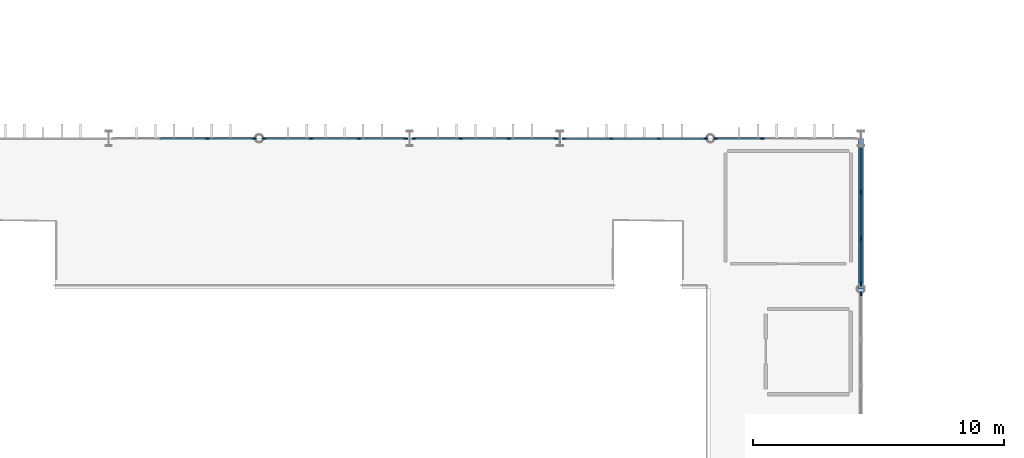
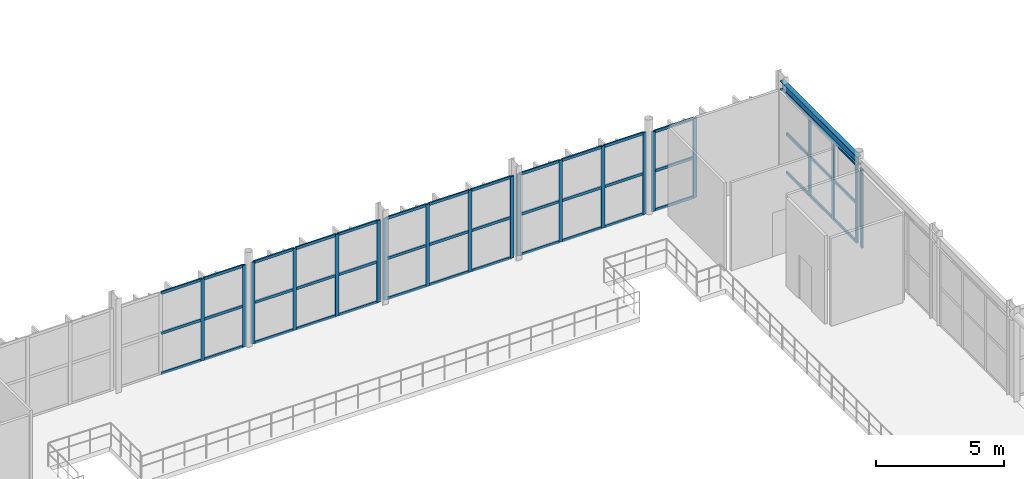
# One storey, part 40 of 96: 65 members, 1 beam, 7 elements without a shape of their own.
"""IFC4 building model written with IfcOpenShell, lengths in metres."""

from ifc_helpers import new_model, si_unit, direction, frame, origin, origin_2d, place, context, subcontext, project, spatial, rectangle, i_section, extrude, material, material_profile, profile_set, type_object, element, aggregate, save


model = new_model("IFC4")

# Units and contexts
model_context = context("Model", 3, precision=1e-05, world=origin(), true_north=direction((0.0, 1.0)))
body_context = subcontext(model_context, "Body", "Model", "MODEL_VIEW")
ifc_project = project(units=[si_unit("LENGTHUNIT", "METRE"), si_unit("AREAUNIT", "SQUARE_METRE"), si_unit("VOLUMEUNIT", "CUBIC_METRE"), si_unit("PLANEANGLEUNIT", "RADIAN"), si_unit("MASSUNIT", "GRAM", prefix="KILO")], contexts=[model_context])

# Site, building, storey
site_placement = place(None, origin())
site = spatial("IfcSite", under=ifc_project, at=site_placement, CompositionType="ELEMENT")
building_placement = place(site_placement, origin())
building = spatial("IfcBuilding", under=site, at=building_placement, Name="Varnakota Square Police Headquarters", CompositionType="ELEMENT")
storey_placement = place(building_placement, frame((0.0, 0.0, 4.800048828125)))
storey = spatial("IfcBuildingStorey", under=building, at=storey_placement, Name="L01", CompositionType="ELEMENT", Elevation=4.800048828125)

# Beam
ifc_material_1 = material(Name="Steel IS 2062 Grade 350", Category="steel")
ifc_material_profile_1 = material_profile(ifc_material_1, i_section(OverallWidth=0.199951171875, OverallDepth=0.39990234375, WebThickness=0.008544921875, FlangeThickness=0.012939453125, FilletRadius=0.012939453125, at=origin_2d()), Name="ISWB 400")
ifc_profile_set_1 = profile_set([ifc_material_profile_1], Name="Steel IS 2062 Grade 350")
beam_type = type_object("IfcBeamType", Name="BM-ISWB400", PredefinedType="BEAM", material=ifc_profile_set_1)
beam_placement = place(storey_placement, frame((96.0, 33.0, 4.0), z_axis=(0.0, 1.0, 0.0), x_axis=(-1.0, 0.0, 0.0)))
element("IfcBeam", 1, at=beam_placement, inside=storey, type_object=beam_type, Name="BMG-L01-1673", PredefinedType="BEAM", context=body_context, shape_type="SweptSolid", body=[
    extrude(i_section(OverallWidth=0.199951171875, OverallDepth=0.39990234375, WebThickness=0.008544921875, FlangeThickness=0.012939453125, FilletRadius=0.012939453125, at=origin_2d()), origin(), (0.0, 0.0, 1.0), 6.0),
])

# Curtain wall, members
ifc_material_2 = material(Name="Anodised Aluminium Framing", Category="aluminium")
curtain_wall_type = type_object("IfcCurtainWallType", Name="CW-SYS-B", PredefinedType="NOTDEFINED", material=ifc_material_2)
curtain_wall_1_placement = place(storey_placement, origin())
curtain_wall_1 = element("IfcCurtainWall", 2, at=curtain_wall_1_placement, inside=storey, type_object=curtain_wall_type, Name="Unitised curtain wall CWG-L01-023", PredefinedType="NOTDEFINED")
ifc_material_3 = material(Name="Anodised Aluminium 6063-T6", Category="aluminium")
ifc_material_profile_2 = material_profile(ifc_material_3, rectangle(XDim=0.06494140625, YDim=0.159912109375, at=origin_2d()), Name="ALU MULLION 65x160")
ifc_profile_set_2 = profile_set([ifc_material_profile_2], Name="Anodised Aluminium 6063-T6")
member_type_1 = type_object("IfcMemberType", Name="CWM-150", PredefinedType="MULLION", material=ifc_profile_set_2)
member_1_placement = place(storey_placement, frame((69.93212890625, 39.0, 0.0), z_axis=(0.0, 0.0, 1.0), x_axis=(0.0, 1.0, 0.0)))
member_1 = element("IfcMember", 3, at=member_1_placement, type_object=member_type_1, Name="CWG-L01-023 mullion 3", PredefinedType="MULLION", context=body_context, shape_type="SweptSolid", body=[
    extrude(rectangle(XDim=0.06494140625, YDim=0.159912109375, at=origin_2d()), origin(), (0.0, 0.0, 1.0), 3.889892578125),
])
member_2_placement = place(storey_placement, frame((71.800537109375, 39.0, 0.0), z_axis=(0.0, 0.0, 1.0), x_axis=(0.0, 1.0, 0.0)))
member_2 = element("IfcMember", 4, at=member_2_placement, type_object=member_type_1, Name="CWG-L01-023 mullion 4", PredefinedType="MULLION", context=body_context, shape_type="SweptSolid", body=[
    extrude(rectangle(XDim=0.06494140625, YDim=0.159912109375, at=origin_2d()), origin(), (0.0, 0.0, 1.0), 3.889892578125),
])

curtain_wall_2_placement = place(storey_placement, origin())
curtain_wall_2 = element("IfcCurtainWall", 5, at=curtain_wall_2_placement, inside=storey, type_object=curtain_wall_type, Name="Unitised curtain wall CWG-L01-024", PredefinedType="NOTDEFINED")
member_3_placement = place(storey_placement, frame((72.199462890625, 39.0, 0.0), z_axis=(0.0, 0.0, 1.0), x_axis=(0.0, 1.0, 0.0)))
member_3 = element("IfcMember", 6, at=member_3_placement, type_object=member_type_1, Name="CWG-L01-024 mullion 1", PredefinedType="MULLION", context=body_context, shape_type="SweptSolid", body=[
    extrude(rectangle(XDim=0.06494140625, YDim=0.159912109375, at=origin_2d()), origin(), (0.0, 0.0, 1.0), 3.889892578125),
])
member_4_placement = place(storey_placement, frame((74.06787109375, 39.0, 0.0), z_axis=(0.0, 0.0, 1.0), x_axis=(0.0, 1.0, 0.0)))
member_4 = element("IfcMember", 7, at=member_4_placement, type_object=member_type_1, Name="CWG-L01-024 mullion 2", PredefinedType="MULLION", context=body_context, shape_type="SweptSolid", body=[
    extrude(rectangle(XDim=0.06494140625, YDim=0.159912109375, at=origin_2d()), origin(), (0.0, 0.0, 1.0), 3.889892578125),
])
member_5_placement = place(storey_placement, frame((75.968994140625, 39.0, 0.0), z_axis=(0.0, 0.0, 1.0), x_axis=(0.0, 1.0, 0.0)))
member_5 = element("IfcMember", 8, at=member_5_placement, type_object=member_type_1, Name="CWG-L01-024 mullion 3", PredefinedType="MULLION", context=body_context, shape_type="SweptSolid", body=[
    extrude(rectangle(XDim=0.06494140625, YDim=0.159912109375, at=origin_2d()), origin(), (0.0, 0.0, 1.0), 3.889892578125),
])
member_6_placement = place(storey_placement, frame((77.83740234375, 39.0, 0.0), z_axis=(0.0, 0.0, 1.0), x_axis=(0.0, 1.0, 0.0)))
member_6 = element("IfcMember", 9, at=member_6_placement, type_object=member_type_1, Name="CWG-L01-024 mullion 4", PredefinedType="MULLION", context=body_context, shape_type="SweptSolid", body=[
    extrude(rectangle(XDim=0.06494140625, YDim=0.159912109375, at=origin_2d()), origin(), (0.0, 0.0, 1.0), 3.889892578125),
])

curtain_wall_3_placement = place(storey_placement, origin())
curtain_wall_3 = element("IfcCurtainWall", 10, at=curtain_wall_3_placement, inside=storey, type_object=curtain_wall_type, Name="Unitised curtain wall CWG-L01-025", PredefinedType="NOTDEFINED")
member_7_placement = place(storey_placement, frame((78.16259765625, 39.0, 0.0), z_axis=(0.0, 0.0, 1.0), x_axis=(0.0, 1.0, 0.0)))
member_7 = element("IfcMember", 11, at=member_7_placement, type_object=member_type_1, Name="CWG-L01-025 mullion 1", PredefinedType="MULLION", context=body_context, shape_type="SweptSolid", body=[
    extrude(rectangle(XDim=0.06494140625, YDim=0.159912109375, at=origin_2d()), origin(), (0.0, 0.0, 1.0), 3.889892578125),
])
member_8_placement = place(storey_placement, frame((80.043212890625, 39.0, 0.0), z_axis=(0.0, 0.0, 1.0), x_axis=(0.0, 1.0, 0.0)))
member_8 = element("IfcMember", 12, at=member_8_placement, type_object=member_type_1, Name="CWG-L01-025 mullion 2", PredefinedType="MULLION", context=body_context, shape_type="SweptSolid", body=[
    extrude(rectangle(XDim=0.06494140625, YDim=0.159912109375, at=origin_2d()), origin(), (0.0, 0.0, 1.0), 3.889892578125),
])
member_9_placement = place(storey_placement, frame((81.956787109375, 39.0, 0.0), z_axis=(0.0, 0.0, 1.0), x_axis=(0.0, 1.0, 0.0)))
member_9 = element("IfcMember", 13, at=member_9_placement, type_object=member_type_1, Name="CWG-L01-025 mullion 3", PredefinedType="MULLION", context=body_context, shape_type="SweptSolid", body=[
    extrude(rectangle(XDim=0.06494140625, YDim=0.159912109375, at=origin_2d()), origin(), (0.0, 0.0, 1.0), 3.889892578125),
])
member_10_placement = place(storey_placement, frame((83.83740234375, 39.0, 0.0), z_axis=(0.0, 0.0, 1.0), x_axis=(0.0, 1.0, 0.0)))
member_10 = element("IfcMember", 14, at=member_10_placement, type_object=member_type_1, Name="CWG-L01-025 mullion 4", PredefinedType="MULLION", context=body_context, shape_type="SweptSolid", body=[
    extrude(rectangle(XDim=0.06494140625, YDim=0.159912109375, at=origin_2d()), origin(), (0.0, 0.0, 1.0), 3.889892578125),
])

curtain_wall_4_placement = place(storey_placement, origin())
curtain_wall_4 = element("IfcCurtainWall", 15, at=curtain_wall_4_placement, inside=storey, type_object=curtain_wall_type, Name="Unitised curtain wall CWG-L01-026", PredefinedType="NOTDEFINED")
member_11_placement = place(storey_placement, frame((84.16259765625, 39.0, 0.0), z_axis=(0.0, 0.0, 1.0), x_axis=(0.0, 1.0, 0.0)))
member_11 = element("IfcMember", 16, at=member_11_placement, type_object=member_type_1, Name="CWG-L01-026 mullion 1", PredefinedType="MULLION", context=body_context, shape_type="SweptSolid", body=[
    extrude(rectangle(XDim=0.06494140625, YDim=0.159912109375, at=origin_2d()), origin(), (0.0, 0.0, 1.0), 3.889892578125),
])
member_12_placement = place(storey_placement, frame((86.031005859375, 39.0, 0.0), z_axis=(0.0, 0.0, 1.0), x_axis=(0.0, 1.0, 0.0)))
member_12 = element("IfcMember", 17, at=member_12_placement, type_object=member_type_1, Name="CWG-L01-026 mullion 2", PredefinedType="MULLION", context=body_context, shape_type="SweptSolid", body=[
    extrude(rectangle(XDim=0.06494140625, YDim=0.159912109375, at=origin_2d()), origin(), (0.0, 0.0, 1.0), 3.889892578125),
])
member_13_placement = place(storey_placement, frame((87.93212890625, 39.0, 0.0), z_axis=(0.0, 0.0, 1.0), x_axis=(0.0, 1.0, 0.0)))
member_13 = element("IfcMember", 18, at=member_13_placement, type_object=member_type_1, Name="CWG-L01-026 mullion 3", PredefinedType="MULLION", context=body_context, shape_type="SweptSolid", body=[
    extrude(rectangle(XDim=0.06494140625, YDim=0.159912109375, at=origin_2d()), origin(), (0.0, 0.0, 1.0), 3.889892578125),
])
member_14_placement = place(storey_placement, frame((89.800537109375, 39.0, 0.0), z_axis=(0.0, 0.0, 1.0), x_axis=(0.0, 1.0, 0.0)))
member_14 = element("IfcMember", 19, at=member_14_placement, type_object=member_type_1, Name="CWG-L01-026 mullion 4", PredefinedType="MULLION", context=body_context, shape_type="SweptSolid", body=[
    extrude(rectangle(XDim=0.06494140625, YDim=0.159912109375, at=origin_2d()), origin(), (0.0, 0.0, 1.0), 3.889892578125),
])

curtain_wall_5_placement = place(storey_placement, origin())
curtain_wall_5 = element("IfcCurtainWall", 20, at=curtain_wall_5_placement, inside=storey, type_object=curtain_wall_type, Name="Unitised curtain wall CWG-L01-027", PredefinedType="NOTDEFINED")
member_15_placement = place(storey_placement, frame((90.199462890625, 39.0, 0.0), z_axis=(0.0, 0.0, 1.0), x_axis=(0.0, 1.0, 0.0)))
member_15 = element("IfcMember", 21, at=member_15_placement, type_object=member_type_1, Name="CWG-L01-027 mullion 1", PredefinedType="MULLION", context=body_context, shape_type="SweptSolid", body=[
    extrude(rectangle(XDim=0.06494140625, YDim=0.159912109375, at=origin_2d()), origin(), (0.0, 0.0, 1.0), 3.7900390625),
])
member_16_placement = place(storey_placement, frame((92.06787109375, 39.0, 0.0), z_axis=(0.0, 0.0, 1.0), x_axis=(0.0, 1.0, 0.0)))
member_16 = element("IfcMember", 22, at=member_16_placement, type_object=member_type_1, Name="CWG-L01-027 mullion 2", PredefinedType="MULLION", context=body_context, shape_type="SweptSolid", body=[
    extrude(rectangle(XDim=0.06494140625, YDim=0.159912109375, at=origin_2d()), origin(), (0.0, 0.0, 1.0), 3.7900390625),
])

# Curtain wall, member
curtain_wall_6_placement = place(storey_placement, origin())
curtain_wall_6 = element("IfcCurtainWall", 23, at=curtain_wall_6_placement, inside=storey, type_object=curtain_wall_type, Name="Unitised curtain wall CWG-L01-032", PredefinedType="NOTDEFINED")
member_17_placement = place(storey_placement, frame((96.0, 32.800537109375, 0.0), z_axis=(0.0, 0.0, 1.0), x_axis=(-1.0, 0.0, 0.0)))
member_17 = element("IfcMember", 24, at=member_17_placement, type_object=member_type_1, Name="CWG-L01-032 mullion 4", PredefinedType="MULLION", context=body_context, shape_type="SweptSolid", body=[
    extrude(rectangle(XDim=0.06494140625, YDim=0.159912109375, at=origin_2d()), origin(), (0.0, 0.0, 1.0), 3.739990234375),
])
aggregate(curtain_wall_6, [member_17])

# Curtain wall, members
curtain_wall_7_placement = place(storey_placement, origin())
curtain_wall_7 = element("IfcCurtainWall", 25, at=curtain_wall_7_placement, inside=storey, type_object=curtain_wall_type, Name="Unitised curtain wall CWG-L01-034", PredefinedType="NOTDEFINED")
member_18_placement = place(storey_placement, frame((96.0, 33.199462890625, 0.0), z_axis=(0.0, 0.0, 1.0), x_axis=(-1.0, 0.0, 0.0)))
member_18 = element("IfcMember", 26, at=member_18_placement, type_object=member_type_1, Name="CWG-L01-034 mullion 1", PredefinedType="MULLION", context=body_context, shape_type="SweptSolid", body=[
    extrude(rectangle(XDim=0.06494140625, YDim=0.159912109375, at=origin_2d()), origin(), (0.0, 0.0, 1.0), 3.739990234375),
])
member_19_placement = place(storey_placement, frame((96.0, 35.009521484375, 0.0), z_axis=(0.0, 0.0, 1.0), x_axis=(-1.0, 0.0, 0.0)))
member_19 = element("IfcMember", 27, at=member_19_placement, type_object=member_type_1, Name="CWG-L01-034 mullion 2", PredefinedType="MULLION", context=body_context, shape_type="SweptSolid", body=[
    extrude(rectangle(XDim=0.06494140625, YDim=0.159912109375, at=origin_2d()), origin(), (0.0, 0.0, 1.0), 3.739990234375),
])
member_20_placement = place(storey_placement, frame((96.0, 36.852294921875, 0.0), z_axis=(0.0, 0.0, 1.0), x_axis=(-1.0, 0.0, 0.0)))
member_20 = element("IfcMember", 28, at=member_20_placement, type_object=member_type_1, Name="CWG-L01-034 mullion 3", PredefinedType="MULLION", context=body_context, shape_type="SweptSolid", body=[
    extrude(rectangle(XDim=0.06494140625, YDim=0.159912109375, at=origin_2d()), origin(), (0.0, 0.0, 1.0), 3.739990234375),
])

# Member
ifc_material_profile_3 = material_profile(ifc_material_3, rectangle(XDim=0.06494140625, YDim=0.1298828125, at=origin_2d()), Name="ALU TRANSOM 65x130")
ifc_profile_set_3 = profile_set([ifc_material_profile_3], Name="Anodised Aluminium 6063-T6")
member_type_2 = type_object("IfcMemberType", Name="CWT-120", PredefinedType="USERDEFINED", material=ifc_profile_set_3)
member_21_placement = place(storey_placement, frame((68.0634765625, 39.0, 0.032470703125), z_axis=(1.0, 0.0, 0.0), x_axis=(0.0, 1.0, 0.0)))
member_21 = element("IfcMember", 29, at=member_21_placement, type_object=member_type_2, Name="CWG-L01-023 transom 2.1", ObjectType="TRANSOM", PredefinedType="USERDEFINED", context=body_context, shape_type="SweptSolid", body=[
    extrude(rectangle(XDim=0.06494140625, YDim=0.1298828125, at=origin_2d()), origin(), (0.0, 0.0, 1.0), 1.836181640625),
])

member_22_placement = place(storey_placement, frame((68.0634765625, 39.0, 1.945068359375), z_axis=(1.0, 0.0, 0.0), x_axis=(0.0, 1.0, 0.0)))
member_22 = element("IfcMember", 30, at=member_22_placement, type_object=member_type_2, Name="CWG-L01-023 transom 2.2", ObjectType="TRANSOM", PredefinedType="USERDEFINED", context=body_context, shape_type="SweptSolid", body=[
    extrude(rectangle(XDim=0.06494140625, YDim=0.1298828125, at=origin_2d()), origin(), (0.0, 0.0, 1.0), 1.836181640625),
])

member_23_placement = place(storey_placement, frame((68.0634765625, 39.0, 3.857421875), z_axis=(1.0, 0.0, 0.0), x_axis=(0.0, 1.0, 0.0)))
member_23 = element("IfcMember", 31, at=member_23_placement, type_object=member_type_2, Name="CWG-L01-023 transom 2.3", ObjectType="TRANSOM", PredefinedType="USERDEFINED", context=body_context, shape_type="SweptSolid", body=[
    extrude(rectangle(XDim=0.06494140625, YDim=0.1298828125, at=origin_2d()), origin(), (0.0, 0.0, 1.0), 1.836181640625),
])

member_24_placement = place(storey_placement, frame((69.964599609375, 39.0, 0.032470703125), z_axis=(1.0, 0.0, 0.0), x_axis=(0.0, 1.0, 0.0)))
member_24 = element("IfcMember", 32, at=member_24_placement, type_object=member_type_2, Name="CWG-L01-023 transom 3.1", ObjectType="TRANSOM", PredefinedType="USERDEFINED", context=body_context, shape_type="SweptSolid", body=[
    extrude(rectangle(XDim=0.06494140625, YDim=0.1298828125, at=origin_2d()), origin(), (0.0, 0.0, 1.0), 1.803466796875),
])

member_25_placement = place(storey_placement, frame((69.964599609375, 39.0, 1.945068359375), z_axis=(1.0, 0.0, 0.0), x_axis=(0.0, 1.0, 0.0)))
member_25 = element("IfcMember", 33, at=member_25_placement, type_object=member_type_2, Name="CWG-L01-023 transom 3.2", ObjectType="TRANSOM", PredefinedType="USERDEFINED", context=body_context, shape_type="SweptSolid", body=[
    extrude(rectangle(XDim=0.06494140625, YDim=0.1298828125, at=origin_2d()), origin(), (0.0, 0.0, 1.0), 1.803466796875),
])

member_26_placement = place(storey_placement, frame((69.964599609375, 39.0, 3.857421875), z_axis=(1.0, 0.0, 0.0), x_axis=(0.0, 1.0, 0.0)))
member_26 = element("IfcMember", 34, at=member_26_placement, type_object=member_type_2, Name="CWG-L01-023 transom 3.3", ObjectType="TRANSOM", PredefinedType="USERDEFINED", context=body_context, shape_type="SweptSolid", body=[
    extrude(rectangle(XDim=0.06494140625, YDim=0.1298828125, at=origin_2d()), origin(), (0.0, 0.0, 1.0), 1.803466796875),
])

aggregate(curtain_wall_1, [member_1, member_2, member_21, member_22, member_23, member_24, member_25, member_26])

member_27_placement = place(storey_placement, frame((72.23193359375, 39.0, 0.032470703125), z_axis=(1.0, 0.0, 0.0), x_axis=(0.0, 1.0, 0.0)))
member_27 = element("IfcMember", 35, at=member_27_placement, type_object=member_type_2, Name="CWG-L01-024 transom 1.1", ObjectType="TRANSOM", PredefinedType="USERDEFINED", context=body_context, shape_type="SweptSolid", body=[
    extrude(rectangle(XDim=0.06494140625, YDim=0.1298828125, at=origin_2d()), origin(), (0.0, 0.0, 1.0), 1.803466796875),
])

member_28_placement = place(storey_placement, frame((72.23193359375, 39.0, 1.945068359375), z_axis=(1.0, 0.0, 0.0), x_axis=(0.0, 1.0, 0.0)))
member_28 = element("IfcMember", 36, at=member_28_placement, type_object=member_type_2, Name="CWG-L01-024 transom 1.2", ObjectType="TRANSOM", PredefinedType="USERDEFINED", context=body_context, shape_type="SweptSolid", body=[
    extrude(rectangle(XDim=0.06494140625, YDim=0.1298828125, at=origin_2d()), origin(), (0.0, 0.0, 1.0), 1.803466796875),
])

member_29_placement = place(storey_placement, frame((72.23193359375, 39.0, 3.857421875), z_axis=(1.0, 0.0, 0.0), x_axis=(0.0, 1.0, 0.0)))
member_29 = element("IfcMember", 37, at=member_29_placement, type_object=member_type_2, Name="CWG-L01-024 transom 1.3", ObjectType="TRANSOM", PredefinedType="USERDEFINED", context=body_context, shape_type="SweptSolid", body=[
    extrude(rectangle(XDim=0.06494140625, YDim=0.1298828125, at=origin_2d()), origin(), (0.0, 0.0, 1.0), 1.803466796875),
])

member_30_placement = place(storey_placement, frame((74.100341796875, 39.0, 0.032470703125), z_axis=(1.0, 0.0, 0.0), x_axis=(0.0, 1.0, 0.0)))
member_30 = element("IfcMember", 38, at=member_30_placement, type_object=member_type_2, Name="CWG-L01-024 transom 2.1", ObjectType="TRANSOM", PredefinedType="USERDEFINED", context=body_context, shape_type="SweptSolid", body=[
    extrude(rectangle(XDim=0.06494140625, YDim=0.1298828125, at=origin_2d()), origin(), (0.0, 0.0, 1.0), 1.836181640625),
])

member_31_placement = place(storey_placement, frame((74.100341796875, 39.0, 1.945068359375), z_axis=(1.0, 0.0, 0.0), x_axis=(0.0, 1.0, 0.0)))
member_31 = element("IfcMember", 39, at=member_31_placement, type_object=member_type_2, Name="CWG-L01-024 transom 2.2", ObjectType="TRANSOM", PredefinedType="USERDEFINED", context=body_context, shape_type="SweptSolid", body=[
    extrude(rectangle(XDim=0.06494140625, YDim=0.1298828125, at=origin_2d()), origin(), (0.0, 0.0, 1.0), 1.836181640625),
])

member_32_placement = place(storey_placement, frame((74.100341796875, 39.0, 3.857421875), z_axis=(1.0, 0.0, 0.0), x_axis=(0.0, 1.0, 0.0)))
member_32 = element("IfcMember", 40, at=member_32_placement, type_object=member_type_2, Name="CWG-L01-024 transom 2.3", ObjectType="TRANSOM", PredefinedType="USERDEFINED", context=body_context, shape_type="SweptSolid", body=[
    extrude(rectangle(XDim=0.06494140625, YDim=0.1298828125, at=origin_2d()), origin(), (0.0, 0.0, 1.0), 1.836181640625),
])

member_33_placement = place(storey_placement, frame((76.00146484375, 39.0, 0.032470703125), z_axis=(1.0, 0.0, 0.0), x_axis=(0.0, 1.0, 0.0)))
member_33 = element("IfcMember", 41, at=member_33_placement, type_object=member_type_2, Name="CWG-L01-024 transom 3.1", ObjectType="TRANSOM", PredefinedType="USERDEFINED", context=body_context, shape_type="SweptSolid", body=[
    extrude(rectangle(XDim=0.06494140625, YDim=0.1298828125, at=origin_2d()), origin(), (0.0, 0.0, 1.0), 1.803466796875),
])

member_34_placement = place(storey_placement, frame((76.00146484375, 39.0, 1.945068359375), z_axis=(1.0, 0.0, 0.0), x_axis=(0.0, 1.0, 0.0)))
member_34 = element("IfcMember", 42, at=member_34_placement, type_object=member_type_2, Name="CWG-L01-024 transom 3.2", ObjectType="TRANSOM", PredefinedType="USERDEFINED", context=body_context, shape_type="SweptSolid", body=[
    extrude(rectangle(XDim=0.06494140625, YDim=0.1298828125, at=origin_2d()), origin(), (0.0, 0.0, 1.0), 1.803466796875),
])

member_35_placement = place(storey_placement, frame((76.00146484375, 39.0, 3.857421875), z_axis=(1.0, 0.0, 0.0), x_axis=(0.0, 1.0, 0.0)))
member_35 = element("IfcMember", 43, at=member_35_placement, type_object=member_type_2, Name="CWG-L01-024 transom 3.3", ObjectType="TRANSOM", PredefinedType="USERDEFINED", context=body_context, shape_type="SweptSolid", body=[
    extrude(rectangle(XDim=0.06494140625, YDim=0.1298828125, at=origin_2d()), origin(), (0.0, 0.0, 1.0), 1.803466796875),
])

aggregate(curtain_wall_2, [member_3, member_4, member_5, member_6, member_27, member_28, member_29, member_30, member_31, member_32, member_33, member_34, member_35])

member_36_placement = place(storey_placement, frame((78.195068359375, 39.0, 0.032470703125), z_axis=(1.0, 0.0, 0.0), x_axis=(0.0, 1.0, 0.0)))
member_36 = element("IfcMember", 44, at=member_36_placement, type_object=member_type_2, Name="CWG-L01-025 transom 1.1", ObjectType="TRANSOM", PredefinedType="USERDEFINED", context=body_context, shape_type="SweptSolid", body=[
    extrude(rectangle(XDim=0.06494140625, YDim=0.1298828125, at=origin_2d()), origin(), (0.0, 0.0, 1.0), 1.815673828125),
])

member_37_placement = place(storey_placement, frame((78.195068359375, 39.0, 1.945068359375), z_axis=(1.0, 0.0, 0.0), x_axis=(0.0, 1.0, 0.0)))
member_37 = element("IfcMember", 45, at=member_37_placement, type_object=member_type_2, Name="CWG-L01-025 transom 1.2", ObjectType="TRANSOM", PredefinedType="USERDEFINED", context=body_context, shape_type="SweptSolid", body=[
    extrude(rectangle(XDim=0.06494140625, YDim=0.1298828125, at=origin_2d()), origin(), (0.0, 0.0, 1.0), 1.815673828125),
])

member_38_placement = place(storey_placement, frame((78.195068359375, 39.0, 3.857421875), z_axis=(1.0, 0.0, 0.0), x_axis=(0.0, 1.0, 0.0)))
member_38 = element("IfcMember", 46, at=member_38_placement, type_object=member_type_2, Name="CWG-L01-025 transom 1.3", ObjectType="TRANSOM", PredefinedType="USERDEFINED", context=body_context, shape_type="SweptSolid", body=[
    extrude(rectangle(XDim=0.06494140625, YDim=0.1298828125, at=origin_2d()), origin(), (0.0, 0.0, 1.0), 1.815673828125),
])

member_39_placement = place(storey_placement, frame((80.075927734375, 39.0, 0.032470703125), z_axis=(1.0, 0.0, 0.0), x_axis=(0.0, 1.0, 0.0)))
member_39 = element("IfcMember", 47, at=member_39_placement, type_object=member_type_2, Name="CWG-L01-025 transom 2.1", ObjectType="TRANSOM", PredefinedType="USERDEFINED", context=body_context, shape_type="SweptSolid", body=[
    extrude(rectangle(XDim=0.06494140625, YDim=0.1298828125, at=origin_2d()), origin(), (0.0, 0.0, 1.0), 1.84814453125),
])

member_40_placement = place(storey_placement, frame((80.075927734375, 39.0, 1.945068359375), z_axis=(1.0, 0.0, 0.0), x_axis=(0.0, 1.0, 0.0)))
member_40 = element("IfcMember", 48, at=member_40_placement, type_object=member_type_2, Name="CWG-L01-025 transom 2.2", ObjectType="TRANSOM", PredefinedType="USERDEFINED", context=body_context, shape_type="SweptSolid", body=[
    extrude(rectangle(XDim=0.06494140625, YDim=0.1298828125, at=origin_2d()), origin(), (0.0, 0.0, 1.0), 1.84814453125),
])

member_41_placement = place(storey_placement, frame((80.075927734375, 39.0, 3.857421875), z_axis=(1.0, 0.0, 0.0), x_axis=(0.0, 1.0, 0.0)))
member_41 = element("IfcMember", 49, at=member_41_placement, type_object=member_type_2, Name="CWG-L01-025 transom 2.3", ObjectType="TRANSOM", PredefinedType="USERDEFINED", context=body_context, shape_type="SweptSolid", body=[
    extrude(rectangle(XDim=0.06494140625, YDim=0.1298828125, at=origin_2d()), origin(), (0.0, 0.0, 1.0), 1.84814453125),
])

member_42_placement = place(storey_placement, frame((81.9892578125, 39.0, 0.032470703125), z_axis=(1.0, 0.0, 0.0), x_axis=(0.0, 1.0, 0.0)))
member_42 = element("IfcMember", 50, at=member_42_placement, type_object=member_type_2, Name="CWG-L01-025 transom 3.1", ObjectType="TRANSOM", PredefinedType="USERDEFINED", context=body_context, shape_type="SweptSolid", body=[
    extrude(rectangle(XDim=0.06494140625, YDim=0.1298828125, at=origin_2d()), origin(), (0.0, 0.0, 1.0), 1.815673828125),
])

member_43_placement = place(storey_placement, frame((81.9892578125, 39.0, 1.945068359375), z_axis=(1.0, 0.0, 0.0), x_axis=(0.0, 1.0, 0.0)))
member_43 = element("IfcMember", 51, at=member_43_placement, type_object=member_type_2, Name="CWG-L01-025 transom 3.2", ObjectType="TRANSOM", PredefinedType="USERDEFINED", context=body_context, shape_type="SweptSolid", body=[
    extrude(rectangle(XDim=0.06494140625, YDim=0.1298828125, at=origin_2d()), origin(), (0.0, 0.0, 1.0), 1.815673828125),
])

member_44_placement = place(storey_placement, frame((81.9892578125, 39.0, 3.857421875), z_axis=(1.0, 0.0, 0.0), x_axis=(0.0, 1.0, 0.0)))
member_44 = element("IfcMember", 52, at=member_44_placement, type_object=member_type_2, Name="CWG-L01-025 transom 3.3", ObjectType="TRANSOM", PredefinedType="USERDEFINED", context=body_context, shape_type="SweptSolid", body=[
    extrude(rectangle(XDim=0.06494140625, YDim=0.1298828125, at=origin_2d()), origin(), (0.0, 0.0, 1.0), 1.815673828125),
])

aggregate(curtain_wall_3, [member_7, member_8, member_9, member_10, member_36, member_37, member_38, member_39, member_40, member_41, member_42, member_43, member_44])

member_45_placement = place(storey_placement, frame((84.195068359375, 39.0, 0.032470703125), z_axis=(1.0, 0.0, 0.0), x_axis=(0.0, 1.0, 0.0)))
member_45 = element("IfcMember", 53, at=member_45_placement, type_object=member_type_2, Name="CWG-L01-026 transom 1.1", ObjectType="TRANSOM", PredefinedType="USERDEFINED", context=body_context, shape_type="SweptSolid", body=[
    extrude(rectangle(XDim=0.06494140625, YDim=0.1298828125, at=origin_2d()), origin(), (0.0, 0.0, 1.0), 1.803466796875),
])

member_46_placement = place(storey_placement, frame((84.195068359375, 39.0, 1.945068359375), z_axis=(1.0, 0.0, 0.0), x_axis=(0.0, 1.0, 0.0)))
member_46 = element("IfcMember", 54, at=member_46_placement, type_object=member_type_2, Name="CWG-L01-026 transom 1.2", ObjectType="TRANSOM", PredefinedType="USERDEFINED", context=body_context, shape_type="SweptSolid", body=[
    extrude(rectangle(XDim=0.06494140625, YDim=0.1298828125, at=origin_2d()), origin(), (0.0, 0.0, 1.0), 1.803466796875),
])

member_47_placement = place(storey_placement, frame((84.195068359375, 39.0, 3.857421875), z_axis=(1.0, 0.0, 0.0), x_axis=(0.0, 1.0, 0.0)))
member_47 = element("IfcMember", 55, at=member_47_placement, type_object=member_type_2, Name="CWG-L01-026 transom 1.3", ObjectType="TRANSOM", PredefinedType="USERDEFINED", context=body_context, shape_type="SweptSolid", body=[
    extrude(rectangle(XDim=0.06494140625, YDim=0.1298828125, at=origin_2d()), origin(), (0.0, 0.0, 1.0), 1.803466796875),
])

member_48_placement = place(storey_placement, frame((86.0634765625, 39.0, 0.032470703125), z_axis=(1.0, 0.0, 0.0), x_axis=(0.0, 1.0, 0.0)))
member_48 = element("IfcMember", 56, at=member_48_placement, type_object=member_type_2, Name="CWG-L01-026 transom 2.1", ObjectType="TRANSOM", PredefinedType="USERDEFINED", context=body_context, shape_type="SweptSolid", body=[
    extrude(rectangle(XDim=0.06494140625, YDim=0.1298828125, at=origin_2d()), origin(), (0.0, 0.0, 1.0), 1.836181640625),
])

member_49_placement = place(storey_placement, frame((86.0634765625, 39.0, 1.945068359375), z_axis=(1.0, 0.0, 0.0), x_axis=(0.0, 1.0, 0.0)))
member_49 = element("IfcMember", 57, at=member_49_placement, type_object=member_type_2, Name="CWG-L01-026 transom 2.2", ObjectType="TRANSOM", PredefinedType="USERDEFINED", context=body_context, shape_type="SweptSolid", body=[
    extrude(rectangle(XDim=0.06494140625, YDim=0.1298828125, at=origin_2d()), origin(), (0.0, 0.0, 1.0), 1.836181640625),
])

member_50_placement = place(storey_placement, frame((86.0634765625, 39.0, 3.857421875), z_axis=(1.0, 0.0, 0.0), x_axis=(0.0, 1.0, 0.0)))
member_50 = element("IfcMember", 58, at=member_50_placement, type_object=member_type_2, Name="CWG-L01-026 transom 2.3", ObjectType="TRANSOM", PredefinedType="USERDEFINED", context=body_context, shape_type="SweptSolid", body=[
    extrude(rectangle(XDim=0.06494140625, YDim=0.1298828125, at=origin_2d()), origin(), (0.0, 0.0, 1.0), 1.836181640625),
])

member_51_placement = place(storey_placement, frame((87.964599609375, 39.0, 0.032470703125), z_axis=(1.0, 0.0, 0.0), x_axis=(0.0, 1.0, 0.0)))
member_51 = element("IfcMember", 59, at=member_51_placement, type_object=member_type_2, Name="CWG-L01-026 transom 3.1", ObjectType="TRANSOM", PredefinedType="USERDEFINED", context=body_context, shape_type="SweptSolid", body=[
    extrude(rectangle(XDim=0.06494140625, YDim=0.1298828125, at=origin_2d()), origin(), (0.0, 0.0, 1.0), 1.803466796875),
])

member_52_placement = place(storey_placement, frame((87.964599609375, 39.0, 1.945068359375), z_axis=(1.0, 0.0, 0.0), x_axis=(0.0, 1.0, 0.0)))
member_52 = element("IfcMember", 60, at=member_52_placement, type_object=member_type_2, Name="CWG-L01-026 transom 3.2", ObjectType="TRANSOM", PredefinedType="USERDEFINED", context=body_context, shape_type="SweptSolid", body=[
    extrude(rectangle(XDim=0.06494140625, YDim=0.1298828125, at=origin_2d()), origin(), (0.0, 0.0, 1.0), 1.803466796875),
])

member_53_placement = place(storey_placement, frame((87.964599609375, 39.0, 3.857421875), z_axis=(1.0, 0.0, 0.0), x_axis=(0.0, 1.0, 0.0)))
member_53 = element("IfcMember", 61, at=member_53_placement, type_object=member_type_2, Name="CWG-L01-026 transom 3.3", ObjectType="TRANSOM", PredefinedType="USERDEFINED", context=body_context, shape_type="SweptSolid", body=[
    extrude(rectangle(XDim=0.06494140625, YDim=0.1298828125, at=origin_2d()), origin(), (0.0, 0.0, 1.0), 1.803466796875),
])

aggregate(curtain_wall_4, [member_11, member_12, member_13, member_14, member_45, member_46, member_47, member_48, member_49, member_50, member_51, member_52, member_53])

member_54_placement = place(storey_placement, frame((90.23193359375, 39.0, 0.032470703125), z_axis=(1.0, 0.0, 0.0), x_axis=(0.0, 1.0, 0.0)))
member_54 = element("IfcMember", 62, at=member_54_placement, type_object=member_type_2, Name="CWG-L01-027 transom 1.1", ObjectType="TRANSOM", PredefinedType="USERDEFINED", context=body_context, shape_type="SweptSolid", body=[
    extrude(rectangle(XDim=0.06494140625, YDim=0.1298828125, at=origin_2d()), origin(), (0.0, 0.0, 1.0), 1.803466796875),
])

member_55_placement = place(storey_placement, frame((90.23193359375, 39.0, 1.89501953125), z_axis=(1.0, 0.0, 0.0), x_axis=(0.0, 1.0, 0.0)))
member_55 = element("IfcMember", 63, at=member_55_placement, type_object=member_type_2, Name="CWG-L01-027 transom 1.2", ObjectType="TRANSOM", PredefinedType="USERDEFINED", context=body_context, shape_type="SweptSolid", body=[
    extrude(rectangle(XDim=0.06494140625, YDim=0.1298828125, at=origin_2d()), origin(), (0.0, 0.0, 1.0), 1.803466796875),
])

member_56_placement = place(storey_placement, frame((90.23193359375, 39.0, 3.757568359375), z_axis=(1.0, 0.0, 0.0), x_axis=(0.0, 1.0, 0.0)))
member_56 = element("IfcMember", 64, at=member_56_placement, type_object=member_type_2, Name="CWG-L01-027 transom 1.3", ObjectType="TRANSOM", PredefinedType="USERDEFINED", context=body_context, shape_type="SweptSolid", body=[
    extrude(rectangle(XDim=0.06494140625, YDim=0.1298828125, at=origin_2d()), origin(), (0.0, 0.0, 1.0), 1.803466796875),
])

aggregate(curtain_wall_5, [member_15, member_16, member_54, member_55, member_56])

member_57_placement = place(storey_placement, frame((96.0, 33.23193359375, 0.032470703125), z_axis=(0.0, 1.0, 0.0), x_axis=(-1.0, 0.0, 0.0)))
member_57 = element("IfcMember", 65, at=member_57_placement, type_object=member_type_2, Name="CWG-L01-034 transom 1.1", ObjectType="TRANSOM", PredefinedType="USERDEFINED", context=body_context, shape_type="SweptSolid", body=[
    extrude(rectangle(XDim=0.06494140625, YDim=0.1298828125, at=origin_2d()), origin(), (0.0, 0.0, 1.0), 1.7451171875),
])

member_58_placement = place(storey_placement, frame((96.0, 33.23193359375, 1.869873046875), z_axis=(0.0, 1.0, 0.0), x_axis=(-1.0, 0.0, 0.0)))
member_58 = element("IfcMember", 66, at=member_58_placement, type_object=member_type_2, Name="CWG-L01-034 transom 1.2", ObjectType="TRANSOM", PredefinedType="USERDEFINED", context=body_context, shape_type="SweptSolid", body=[
    extrude(rectangle(XDim=0.06494140625, YDim=0.1298828125, at=origin_2d()), origin(), (0.0, 0.0, 1.0), 1.7451171875),
])

member_59_placement = place(storey_placement, frame((96.0, 33.23193359375, 3.70751953125), z_axis=(0.0, 1.0, 0.0), x_axis=(-1.0, 0.0, 0.0)))
member_59 = element("IfcMember", 67, at=member_59_placement, type_object=member_type_2, Name="CWG-L01-034 transom 1.3", ObjectType="TRANSOM", PredefinedType="USERDEFINED", context=body_context, shape_type="SweptSolid", body=[
    extrude(rectangle(XDim=0.06494140625, YDim=0.1298828125, at=origin_2d()), origin(), (0.0, 0.0, 1.0), 1.7451171875),
])

member_60_placement = place(storey_placement, frame((96.0, 35.0419921875, 0.032470703125), z_axis=(0.0, 1.0, 0.0), x_axis=(-1.0, 0.0, 0.0)))
member_60 = element("IfcMember", 68, at=member_60_placement, type_object=member_type_2, Name="CWG-L01-034 transom 2.1", ObjectType="TRANSOM", PredefinedType="USERDEFINED", context=body_context, shape_type="SweptSolid", body=[
    extrude(rectangle(XDim=0.06494140625, YDim=0.1298828125, at=origin_2d()), origin(), (0.0, 0.0, 1.0), 1.77783203125),
])

member_61_placement = place(storey_placement, frame((96.0, 35.0419921875, 1.869873046875), z_axis=(0.0, 1.0, 0.0), x_axis=(-1.0, 0.0, 0.0)))
member_61 = element("IfcMember", 69, at=member_61_placement, type_object=member_type_2, Name="CWG-L01-034 transom 2.2", ObjectType="TRANSOM", PredefinedType="USERDEFINED", context=body_context, shape_type="SweptSolid", body=[
    extrude(rectangle(XDim=0.06494140625, YDim=0.1298828125, at=origin_2d()), origin(), (0.0, 0.0, 1.0), 1.77783203125),
])

member_62_placement = place(storey_placement, frame((96.0, 35.0419921875, 3.70751953125), z_axis=(0.0, 1.0, 0.0), x_axis=(-1.0, 0.0, 0.0)))
member_62 = element("IfcMember", 70, at=member_62_placement, type_object=member_type_2, Name="CWG-L01-034 transom 2.3", ObjectType="TRANSOM", PredefinedType="USERDEFINED", context=body_context, shape_type="SweptSolid", body=[
    extrude(rectangle(XDim=0.06494140625, YDim=0.1298828125, at=origin_2d()), origin(), (0.0, 0.0, 1.0), 1.77783203125),
])

member_63_placement = place(storey_placement, frame((96.0, 36.884765625, 0.032470703125), z_axis=(0.0, 1.0, 0.0), x_axis=(-1.0, 0.0, 0.0)))
member_63 = element("IfcMember", 71, at=member_63_placement, type_object=member_type_2, Name="CWG-L01-034 transom 3.1", ObjectType="TRANSOM", PredefinedType="USERDEFINED", context=body_context, shape_type="SweptSolid", body=[
    extrude(rectangle(XDim=0.06494140625, YDim=0.1298828125, at=origin_2d()), origin(), (0.0, 0.0, 1.0), 1.7451171875),
])

member_64_placement = place(storey_placement, frame((96.0, 36.884765625, 1.869873046875), z_axis=(0.0, 1.0, 0.0), x_axis=(-1.0, 0.0, 0.0)))
member_64 = element("IfcMember", 72, at=member_64_placement, type_object=member_type_2, Name="CWG-L01-034 transom 3.2", ObjectType="TRANSOM", PredefinedType="USERDEFINED", context=body_context, shape_type="SweptSolid", body=[
    extrude(rectangle(XDim=0.06494140625, YDim=0.1298828125, at=origin_2d()), origin(), (0.0, 0.0, 1.0), 1.7451171875),
])

member_65_placement = place(storey_placement, frame((96.0, 36.884765625, 3.70751953125), z_axis=(0.0, 1.0, 0.0), x_axis=(-1.0, 0.0, 0.0)))
member_65 = element("IfcMember", 73, at=member_65_placement, type_object=member_type_2, Name="CWG-L01-034 transom 3.3", ObjectType="TRANSOM", PredefinedType="USERDEFINED", context=body_context, shape_type="SweptSolid", body=[
    extrude(rectangle(XDim=0.06494140625, YDim=0.1298828125, at=origin_2d()), origin(), (0.0, 0.0, 1.0), 1.7451171875),
])

aggregate(curtain_wall_7, [member_18, member_19, member_20, member_57, member_58, member_59, member_60, member_61, member_62, member_63, member_64, member_65])

save(model, "model.ifc")
